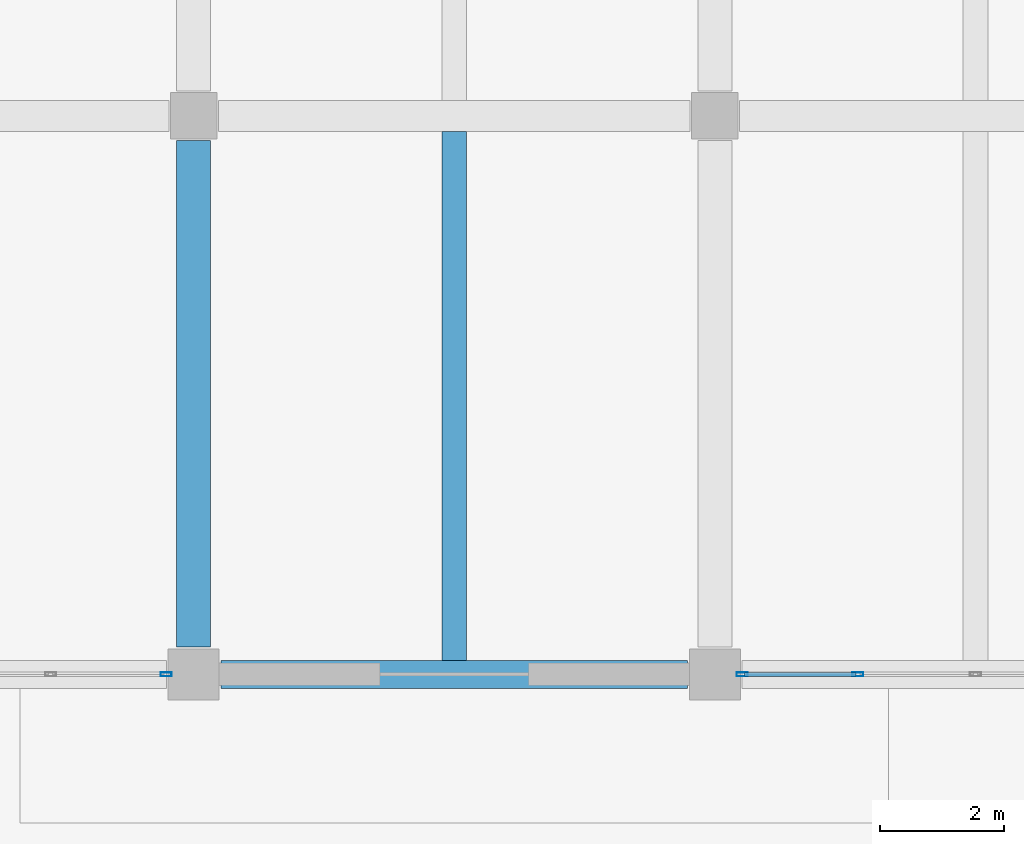
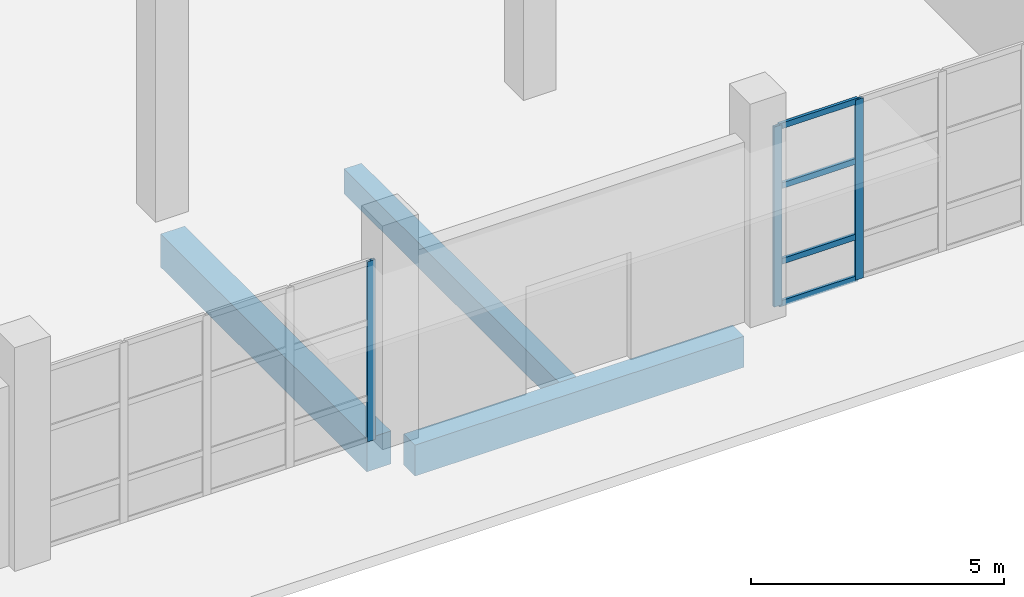
# One storey, part 6 of 78: 7 members, 3 beams, 2 elements without a shape of their own.
"""IFC4 building model written with IfcOpenShell, lengths in metres."""

from ifc_helpers import new_model, si_unit, direction, frame, origin, origin_2d, place, context, subcontext, project, spatial, rectangle, hollow_rectangle, extrude, material, material_profile, profile_set, type_object, element, aggregate, save


model = new_model("IFC4")

# Units and contexts
model_context = context("Model", 3, precision=1e-05, world=origin(), true_north=direction((0.0, 1.0)))
body_context = subcontext(model_context, "Body", "Model", "MODEL_VIEW")
ifc_project = project(units=[si_unit("LENGTHUNIT", "METRE"), si_unit("AREAUNIT", "SQUARE_METRE"), si_unit("VOLUMEUNIT", "CUBIC_METRE"), si_unit("PLANEANGLEUNIT", "RADIAN"), si_unit("MASSUNIT", "GRAM", prefix="KILO")], contexts=[model_context])

# Site, building, storey
site_placement = place(None, origin())
site = spatial("IfcSite", under=ifc_project, at=site_placement, CompositionType="ELEMENT")
building_placement = place(site_placement, origin())
building = spatial("IfcBuilding", under=site, at=building_placement, Name="Pellamere Symphony Hall", CompositionType="ELEMENT")
storey_placement = place(building_placement, origin())
storey = spatial("IfcBuildingStorey", under=building, at=storey_placement, Name="L00", CompositionType="ELEMENT", Elevation=0.0)

# Curtain wall, member
ifc_material_1 = material(Name="Thermally Broken Anodised Aluminium 6063-T6 Curtain Wall", Category="aluminium")
curtain_wall_type = type_object("IfcCurtainWallType", Name="Curtain Wall CW-04 (Chamber Music Lobby Curtain Wall)", PredefinedType="NOTDEFINED", material=ifc_material_1)
curtain_wall_1_placement = place(storey_placement, origin())
curtain_wall_1 = element("IfcCurtainWall", 1, at=curtain_wall_1_placement, inside=storey, type_object=curtain_wall_type, Name="Chamber Lobby South Curtain Wall (L00 Bay 1)", PredefinedType="NOTDEFINED")
ifc_material_2 = material(Name="Anodised Architectural Aluminium 6063-T6", Category="aluminium")
ifc_material_profile_1 = material_profile(ifc_material_2, hollow_rectangle(XDim=0.06494140625, YDim=0.179931640625, WallThickness=0.00390625, at=origin_2d()), Name="ALU-M65X180X4")
ifc_profile_set_1 = profile_set([ifc_material_profile_1], Name="Anodised Architectural Aluminium 6063-T6")
member_type_1 = type_object("IfcMemberType", Name="Curtain Wall Mullion ML-02 ALU-M65X180X4", PredefinedType="MULLION", material=ifc_profile_set_1)
member_1_placement = place(storey_placement, frame((16.357421875, 0.0, 0.0), z_axis=(0.0, 0.0, 1.0), x_axis=(0.0, 1.0, 0.0)))
member_1 = element("IfcMember", 2, at=member_1_placement, type_object=member_type_1, Name="CW4-107 crystal mullion 5", PredefinedType="MULLION", context=body_context, shape_type="SweptSolid", body=[
    extrude(hollow_rectangle(XDim=0.06494140625, YDim=0.179931640625, WallThickness=0.00390625, at=origin_2d()), origin(), (0.0, 0.0, 1.0), 4.35009765625),
])
aggregate(curtain_wall_1, [member_1])

# Curtain wall, members
curtain_wall_2_placement = place(storey_placement, origin())
curtain_wall_2 = element("IfcCurtainWall", 3, at=curtain_wall_2_placement, inside=storey, type_object=curtain_wall_type, Name="Chamber Lobby South Curtain Wall (L00 Bay 2)", PredefinedType="NOTDEFINED")
member_2_placement = place(storey_placement, frame((25.642578125, 0.0, 0.0), z_axis=(0.0, 0.0, 1.0), x_axis=(0.0, 1.0, 0.0)))
member_2 = element("IfcMember", 4, at=member_2_placement, type_object=member_type_1, Name="CW4-108 crystal mullion 1", PredefinedType="MULLION", context=body_context, shape_type="SweptSolid", body=[
    extrude(hollow_rectangle(XDim=0.06494140625, YDim=0.179931640625, WallThickness=0.00390625, at=origin_2d()), origin(), (0.0, 0.0, 1.0), 4.35009765625),
])
member_3_placement = place(storey_placement, frame((27.5048828125, 0.0, 0.0), z_axis=(0.0, 0.0, 1.0), x_axis=(0.0, 1.0, 0.0)))
member_3 = element("IfcMember", 5, at=member_3_placement, type_object=member_type_1, Name="CW4-108 crystal mullion 2", PredefinedType="MULLION", context=body_context, shape_type="SweptSolid", body=[
    extrude(hollow_rectangle(XDim=0.06494140625, YDim=0.179931640625, WallThickness=0.00390625, at=origin_2d()), origin(), (0.0, 0.0, 1.0), 4.35009765625),
])
ifc_material_profile_2 = material_profile(ifc_material_2, hollow_rectangle(XDim=0.06494140625, YDim=0.139892578125, WallThickness=0.00390625, at=origin_2d()), Name="ALU-T65X140X4")
ifc_profile_set_2 = profile_set([ifc_material_profile_2], Name="Anodised Architectural Aluminium 6063-T6")
member_type_2 = type_object("IfcMemberType", Name="Curtain Wall Transom TR-02 ALU-T65X140X4", PredefinedType="USERDEFINED", material=ifc_profile_set_2)
member_4_placement = place(storey_placement, frame((25.675048828125, 0.0, 0.032470703125), z_axis=(1.0, 0.0, 0.0), x_axis=(0.0, 1.0, 0.0)))
member_4 = element("IfcMember", 6, at=member_4_placement, type_object=member_type_2, Name="CW4-108 crystal transom 1.1", ObjectType="TRANSOM", PredefinedType="USERDEFINED", context=body_context, shape_type="SweptSolid", body=[
    extrude(hollow_rectangle(XDim=0.06494140625, YDim=0.139892578125, WallThickness=0.00390625, at=origin_2d()), origin(), (0.0, 0.0, 1.0), 1.79736328125),
])
member_5_placement = place(storey_placement, frame((25.675048828125, 0.0, 1.0439453125), z_axis=(1.0, 0.0, 0.0), x_axis=(0.0, 1.0, 0.0)))
member_5 = element("IfcMember", 7, at=member_5_placement, type_object=member_type_2, Name="CW4-108 crystal transom 1.2", ObjectType="TRANSOM", PredefinedType="USERDEFINED", context=body_context, shape_type="SweptSolid", body=[
    extrude(hollow_rectangle(XDim=0.06494140625, YDim=0.139892578125, WallThickness=0.00390625, at=origin_2d()), origin(), (0.0, 0.0, 1.0), 1.79736328125),
])
member_6_placement = place(storey_placement, frame((25.675048828125, 0.0, 2.87109375), z_axis=(1.0, 0.0, 0.0), x_axis=(0.0, 1.0, 0.0)))
member_6 = element("IfcMember", 8, at=member_6_placement, type_object=member_type_2, Name="CW4-108 crystal transom 1.3", ObjectType="TRANSOM", PredefinedType="USERDEFINED", context=body_context, shape_type="SweptSolid", body=[
    extrude(hollow_rectangle(XDim=0.06494140625, YDim=0.139892578125, WallThickness=0.00390625, at=origin_2d()), origin(), (0.0, 0.0, 1.0), 1.79736328125),
])
member_7_placement = place(storey_placement, frame((25.675048828125, 0.0, 4.3173828125), z_axis=(1.0, 0.0, 0.0), x_axis=(0.0, 1.0, 0.0)))
member_7 = element("IfcMember", 9, at=member_7_placement, type_object=member_type_2, Name="CW4-108 crystal transom 1.4", ObjectType="TRANSOM", PredefinedType="USERDEFINED", context=body_context, shape_type="SweptSolid", body=[
    extrude(hollow_rectangle(XDim=0.06494140625, YDim=0.139892578125, WallThickness=0.00390625, at=origin_2d()), origin(), (0.0, 0.0, 1.0), 1.79736328125),
])
aggregate(curtain_wall_2, [member_2, member_3, member_4, member_5, member_6, member_7])

# Beams
ifc_material_3 = material(Name="Concrete 40 MPa", Category="concrete")
ifc_material_profile_3 = material_profile(ifc_material_3, rectangle(XDim=0.550048828125, YDim=0.800048828125, at=origin_2d()), Name="RC 550x800")
ifc_profile_set_3 = profile_set([ifc_material_profile_3], Name="Concrete 40 MPa")
beam_type_1 = type_object("IfcBeamType", Name="RC CB-05 550x800", PredefinedType="BEAM", material=ifc_profile_set_3)
beam_1_placement = place(storey_placement, frame((16.800048828125, 0.43994140625, -0.699951171875), z_axis=(0.0, 1.0, 0.0), x_axis=(-1.0, 0.0, 0.0)))
element("IfcBeam", 10, at=beam_1_placement, inside=storey, type_object=beam_type_1, Name="Girder CB-05-Y0211 (L00)", PredefinedType="BEAM", context=body_context, shape_type="SweptSolid", body=[
    extrude(rectangle(XDim=0.550048828125, YDim=0.800048828125, at=origin_2d()), origin(), (0.0, 0.0, 1.0), 8.16015625),
])
ifc_material_profile_4 = material_profile(ifc_material_3, rectangle(XDim=0.39990234375, YDim=0.60009765625, at=origin_2d()), Name="RC 400x600")
ifc_profile_set_4 = profile_set([ifc_material_profile_4], Name="Concrete 40 MPa")
beam_type_2 = type_object("IfcBeamType", Name="RC CB-09 400x600", PredefinedType="BEAM", material=ifc_profile_set_4)
beam_2_placement = place(storey_placement, frame((21.0, 0.22509765625, -0.614990234375), z_axis=(0.0, 1.0, 0.0), x_axis=(-1.0, 0.0, 0.0)))
element("IfcBeam", 11, at=beam_2_placement, inside=storey, type_object=beam_type_2, Name="Secondary Floor Beam CB-09-M0200 (L00)", PredefinedType="BEAM", context=body_context, shape_type="SweptSolid", body=[
    extrude(rectangle(XDim=0.39990234375, YDim=0.60009765625, at=origin_2d()), origin(), (0.0, 0.0, 1.0), 8.52490234375),
])
ifc_material_profile_5 = material_profile(ifc_material_3, rectangle(XDim=0.449951171875, YDim=0.75, at=origin_2d()), Name="RC 450x750")
ifc_profile_set_5 = profile_set([ifc_material_profile_5], Name="Concrete 40 MPa")
beam_type_3 = type_object("IfcBeamType", Name="RC CB-12 450x750", PredefinedType="SPANDREL", material=ifc_profile_set_5)
beam_3_placement = place(storey_placement, frame((17.239990234375, 0.0, -0.675048828125), z_axis=(1.0, 0.0, 0.0), x_axis=(0.0, 1.0, 0.0)))
element("IfcBeam", 12, at=beam_3_placement, inside=storey, type_object=beam_type_3, Name="Girder CB-12-X0003 (L00)", PredefinedType="SPANDREL", context=body_context, shape_type="SweptSolid", body=[
    extrude(rectangle(XDim=0.449951171875, YDim=0.75, at=origin_2d()), origin(), (0.0, 0.0, 1.0), 7.52001953125),
])

save(model, "model.ifc")
